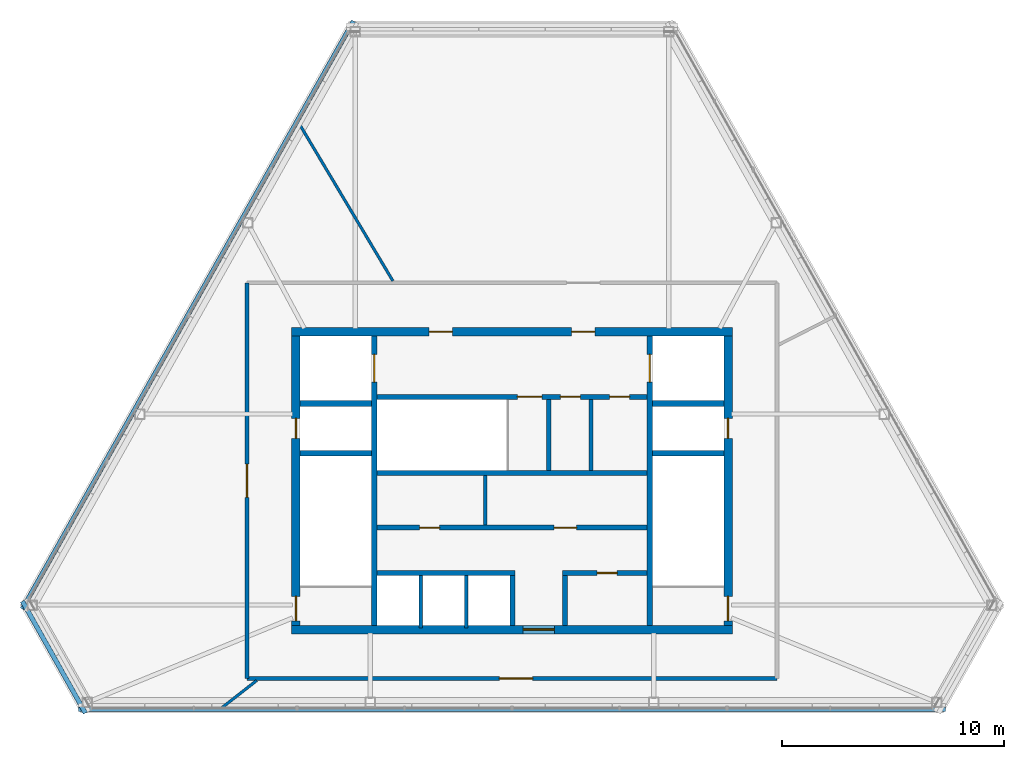
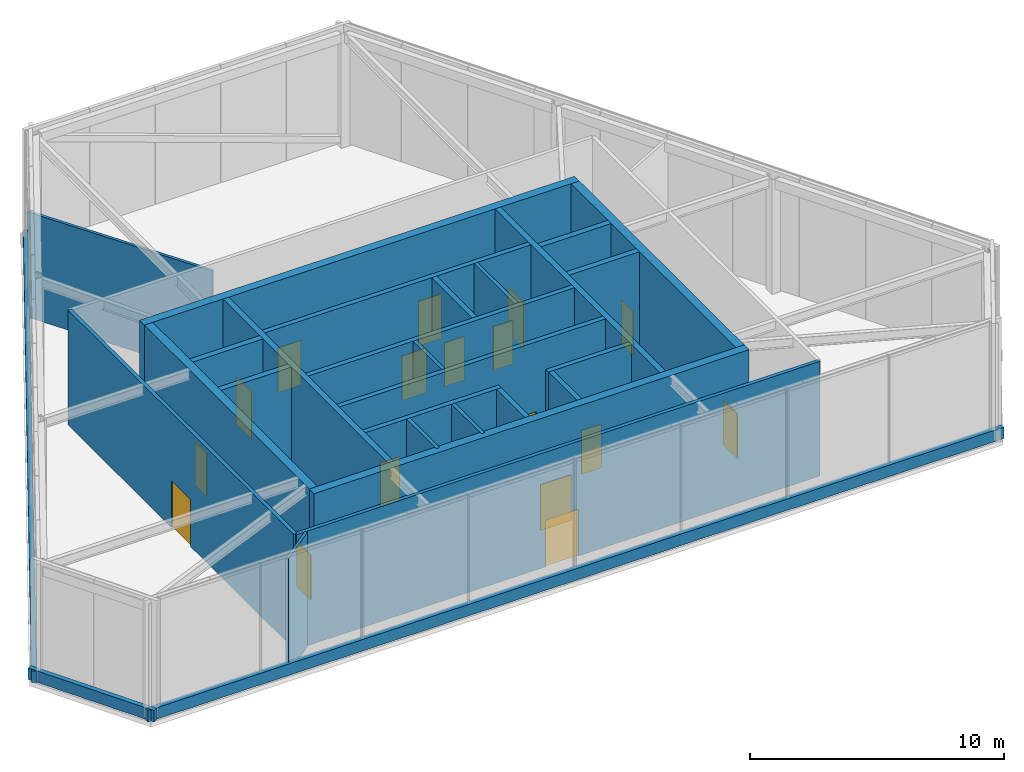
# One storey, part 9 of 11: 29 walls, 17 doors, 17 openings.
"""IFC4 building model written with IfcOpenShell, lengths in metres."""

from ifc_helpers import new_model, si_unit, direction, frame, frame_2d, origin, place, context, subcontext, project, spatial, rectangle, extrude, material, layer, layer_set, type_object, element, fill, save


model = new_model("IFC4")

# Units and contexts
model_context = context("Model", 3, precision=1e-05, world=origin(), true_north=direction((0.0, 1.0)))
body_context = subcontext(model_context, "Body", "Model", "MODEL_VIEW")
ifc_project = project(units=[si_unit("LENGTHUNIT", "METRE"), si_unit("AREAUNIT", "SQUARE_METRE"), si_unit("VOLUMEUNIT", "CUBIC_METRE"), si_unit("PLANEANGLEUNIT", "RADIAN"), si_unit("MASSUNIT", "GRAM", prefix="KILO")], contexts=[model_context])

# Site, building, storey
site_placement = place(None, origin())
site = spatial("IfcSite", under=ifc_project, at=site_placement, CompositionType="ELEMENT")
building_placement = place(site_placement, origin())
building = spatial("IfcBuilding", under=site, at=building_placement, Name="Kavelnor Concourse Tower", CompositionType="ELEMENT")
storey_placement = place(building_placement, frame((0.0, 0.0, 309.949951171875)))
storey = spatial("IfcBuildingStorey", under=building, at=storey_placement, Name="L78", CompositionType="ELEMENT", Elevation=309.949951171875)

# Wall, opening, door
ifc_material_1 = material(Name="Concrete C50/60", Category="concrete")
ifc_layer_1 = layer(ifc_material_1, 0.3798828125, Name="Concrete C50/60")
ifc_layer_set_1 = layer_set([ifc_layer_1], Name="Concrete C50/60")
wall_type_1 = type_object("IfcWallType", Name="WL-CORE-Z4-380", PredefinedType="SOLIDWALL", material=ifc_layer_set_1)
wall_1_placement = place(storey_placement, frame((28.10009765625, 9.409912109375, 0.0), z_axis=(0.0, 0.0, 1.0), x_axis=(1.0, 0.0, 0.0)))
wall_1 = element("IfcWall", 1, at=wall_1_placement, inside=storey, type_object=wall_type_1, Name="L78 Central Core South Shear Wall", PredefinedType="SOLIDWALL", context=body_context, shape_type="SweptSolid", body=[
    extrude(rectangle(XDim=19.7998046875, YDim=0.3798828125, at=frame_2d((9.89990234375, 0.0))), origin(), (0.0, 0.0, 1.0), 5.52001953125),
])
opening_1_placement = place(wall_1_placement, frame((10.39990234375, 0.0, 0.0)))
opening_1 = element("IfcOpeningElement", 2, at=opening_1_placement, cuts=wall_1, Name="Opening SD-140", PredefinedType="OPENING", context=body_context, shape_type="SweptSolid", body=[
    extrude(rectangle(XDim=1.39990234375, YDim=2.199951171875, at=frame_2d((0.699951171875, 1.10009765625))), frame((0.0, 0.199951171875, 0.0), z_axis=(0.0, -1.0, 0.0), x_axis=(1.0, 0.0, 0.0)), (0.0, 0.0, 1.0), 0.39990234375),
])
ifc_material_2 = material(Name="Solid-core hardwood timber", Category="wood")
door_type_1 = type_object("IfcDoorType", Name="DR-SUITE-ENTRY-1400", OperationType="NOTDEFINED", PredefinedType="DOOR", material=ifc_material_2)
door_1_placement = place(opening_1_placement, origin())
door_1 = element("IfcDoor", 3, at=door_1_placement, inside=storey, type_object=door_type_1, Name="L78 Passenger Lift Lobby Entry Door", OperationType="SINGLE_SWING_LEFT", OverallHeight=2.199951171875, OverallWidth=1.39990234375, PredefinedType="DOOR", context=body_context, shape_type="SweptSolid", body=[
    extrude(rectangle(XDim=1.39990234375, YDim=2.199951171875, at=frame_2d((0.699951171875, 1.10009765625))), frame((0.0, 0.02490234375, 0.0), z_axis=(0.0, -1.0, 0.0), x_axis=(1.0, 0.0, 0.0)), (0.0, 0.0, 1.0), 0.050048828125),
])
fill(opening_1, door_1)

# Wall, openings, doors
wall_2_placement = place(storey_placement, frame((28.10009765625, 22.7900390625, 0.0), z_axis=(0.0, 0.0, 1.0), x_axis=(1.0, 0.0, 0.0)))
wall_2 = element("IfcWall", 4, at=wall_2_placement, inside=storey, type_object=wall_type_1, Name="L78 Central Core North Shear Wall", PredefinedType="SOLIDWALL", context=body_context, shape_type="SweptSolid", body=[
    extrude(rectangle(XDim=19.7998046875, YDim=0.3798828125, at=frame_2d((9.89990234375, 0.0))), origin(), (0.0, 0.0, 1.0), 5.52001953125),
])
opening_2_placement = place(wall_2_placement, frame((6.175048828125, 0.0, 0.0)))
opening_2 = element("IfcOpeningElement", 5, at=opening_2_placement, cuts=wall_2, Name="Opening FD-105", PredefinedType="OPENING", context=body_context, shape_type="SweptSolid", body=[
    extrude(rectangle(XDim=1.050048828125, YDim=2.14990234375, at=frame_2d((0.52490234375, 1.074951171875))), frame((0.0, 0.199951171875, 0.0), z_axis=(0.0, -1.0, 0.0), x_axis=(1.0, 0.0, 0.0)), (0.0, 0.0, 1.0), 0.39990234375),
])
opening_3_placement = place(wall_2_placement, frame((12.574951171875, 0.0, 0.0)))
opening_3 = element("IfcOpeningElement", 6, at=opening_3_placement, cuts=wall_2, Name="Opening FD-105", PredefinedType="OPENING", context=body_context, shape_type="SweptSolid", body=[
    extrude(rectangle(XDim=1.050048828125, YDim=2.14990234375, at=frame_2d((0.52490234375, 1.074951171875))), frame((0.0, 0.199951171875, 0.0), z_axis=(0.0, -1.0, 0.0), x_axis=(1.0, 0.0, 0.0)), (0.0, 0.0, 1.0), 0.39990234375),
])
ifc_material_3 = material(Name="Steel Grade 350", Category="steel")
door_type_2 = type_object("IfcDoorType", Name="DR-LOBBY-FIRE-1050", OperationType="NOTDEFINED", PredefinedType="DOOR", material=ifc_material_3)
door_2_placement = place(opening_2_placement, origin())
door_2 = element("IfcDoor", 7, at=door_2_placement, inside=storey, type_object=door_type_2, Name="L78 Emergency Lift Lobby West Door", OperationType="SINGLE_SWING_LEFT", OverallHeight=2.14990234375, OverallWidth=1.050048828125, PredefinedType="DOOR", context=body_context, shape_type="SweptSolid", body=[
    extrude(rectangle(XDim=1.050048828125, YDim=2.14990234375, at=frame_2d((0.52490234375, 1.074951171875))), frame((0.0, 0.02490234375, 0.0), z_axis=(0.0, -1.0, 0.0), x_axis=(1.0, 0.0, 0.0)), (0.0, 0.0, 1.0), 0.050048828125),
])
fill(opening_2, door_2)
door_3_placement = place(opening_3_placement, origin())
door_3 = element("IfcDoor", 8, at=door_3_placement, inside=storey, type_object=door_type_2, Name="L78 Emergency Lift Lobby East Door", OperationType="SINGLE_SWING_RIGHT", OverallHeight=2.14990234375, OverallWidth=1.050048828125, PredefinedType="DOOR", context=body_context, shape_type="SweptSolid", body=[
    extrude(rectangle(XDim=1.050048828125, YDim=2.14990234375, at=frame_2d((0.52490234375, 1.074951171875))), frame((0.0, 0.02490234375, 0.0), z_axis=(0.0, -1.0, 0.0), x_axis=(1.0, 0.0, 0.0)), (0.0, 0.0, 1.0), 0.050048828125),
])
fill(opening_3, door_3)

wall_3_placement = place(storey_placement, frame((28.2900390625, 9.60009765625, 0.0), z_axis=(0.0, 0.0, 1.0), x_axis=(0.0, 1.0, 0.0)))
wall_3 = element("IfcWall", 9, at=wall_3_placement, inside=storey, type_object=wall_type_1, Name="L78 Central Core West Shear Wall", PredefinedType="SOLIDWALL", context=body_context, shape_type="SweptSolid", body=[
    extrude(rectangle(XDim=13.0, YDim=0.3798828125, at=frame_2d((6.5, 0.0))), origin(), (0.0, 0.0, 1.0), 5.52001953125),
])
opening_4_placement = place(wall_3_placement, frame((0.199951171875, 0.0, 0.0)))
opening_4 = element("IfcOpeningElement", 10, at=opening_4_placement, cuts=wall_3, Name="Opening FD-110", PredefinedType="OPENING", context=body_context, shape_type="SweptSolid", body=[
    extrude(rectangle(XDim=1.10009765625, YDim=2.14990234375, at=frame_2d((0.550048828125, 1.074951171875))), frame((0.0, 0.199951171875, 0.0), z_axis=(0.0, -1.0, 0.0), x_axis=(1.0, 0.0, 0.0)), (0.0, 0.0, 1.0), 0.39990234375),
])
opening_5_placement = place(wall_3_placement, frame((8.39990234375, 0.0, 0.0)))
opening_5 = element("IfcOpeningElement", 11, at=opening_5_placement, cuts=wall_3, Name="Opening FD-090", PredefinedType="OPENING", context=body_context, shape_type="SweptSolid", body=[
    extrude(rectangle(XDim=0.89990234375, YDim=2.10009765625, at=frame_2d((0.449951171875, 1.050048828125))), frame((0.0, 0.199951171875, 0.0), z_axis=(0.0, -1.0, 0.0), x_axis=(1.0, 0.0, 0.0)), (0.0, 0.0, 1.0), 0.39990234375),
])
door_type_3 = type_object("IfcDoorType", Name="DR-RISER-FIRE-900", OperationType="NOTDEFINED", PredefinedType="DOOR", material=ifc_material_3)
door_4_placement = place(opening_5_placement, origin())
door_4 = element("IfcDoor", 12, at=door_4_placement, inside=storey, type_object=door_type_3, Name="L78 West Riser Access Door", OperationType="SINGLE_SWING_RIGHT", OverallHeight=2.10009765625, OverallWidth=0.89990234375, PredefinedType="DOOR", context=body_context, shape_type="SweptSolid", body=[
    extrude(rectangle(XDim=0.89990234375, YDim=2.10009765625, at=frame_2d((0.449951171875, 1.050048828125))), frame((0.0, 0.02490234375, 0.0), z_axis=(0.0, -1.0, 0.0), x_axis=(1.0, 0.0, 0.0)), (0.0, 0.0, 1.0), 0.050048828125),
])
fill(opening_5, door_4)
door_type_4 = type_object("IfcDoorType", Name="DR-STAIR-FIRE-1100", OperationType="NOTDEFINED", PredefinedType="DOOR", material=ifc_material_3)
door_5_placement = place(opening_4_placement, origin())
door_5 = element("IfcDoor", 13, at=door_5_placement, inside=storey, type_object=door_type_4, Name="L78 Stair ST1 Fire Door", OperationType="SINGLE_SWING_LEFT", OverallHeight=2.14990234375, OverallWidth=1.10009765625, PredefinedType="DOOR", context=body_context, shape_type="SweptSolid", body=[
    extrude(rectangle(XDim=1.10009765625, YDim=2.14990234375, at=frame_2d((0.550048828125, 1.074951171875))), frame((0.0, 0.02490234375, 0.0), z_axis=(0.0, -1.0, 0.0), x_axis=(1.0, 0.0, 0.0)), (0.0, 0.0, 1.0), 0.050048828125),
])
fill(opening_4, door_5)

wall_4_placement = place(storey_placement, frame((47.7099609375, 9.60009765625, 0.0), z_axis=(0.0, 0.0, 1.0), x_axis=(0.0, 1.0, 0.0)))
wall_4 = element("IfcWall", 14, at=wall_4_placement, inside=storey, type_object=wall_type_1, Name="L78 Central Core East Shear Wall", PredefinedType="SOLIDWALL", context=body_context, shape_type="SweptSolid", body=[
    extrude(rectangle(XDim=13.0, YDim=0.3798828125, at=frame_2d((6.5, 0.0))), origin(), (0.0, 0.0, 1.0), 5.52001953125),
])
opening_6_placement = place(wall_4_placement, frame((0.199951171875, 0.0, 0.0)))
opening_6 = element("IfcOpeningElement", 15, at=opening_6_placement, cuts=wall_4, Name="Opening FD-110", PredefinedType="OPENING", context=body_context, shape_type="SweptSolid", body=[
    extrude(rectangle(XDim=1.10009765625, YDim=2.14990234375, at=frame_2d((0.550048828125, 1.074951171875))), frame((0.0, 0.199951171875, 0.0), z_axis=(0.0, -1.0, 0.0), x_axis=(1.0, 0.0, 0.0)), (0.0, 0.0, 1.0), 0.39990234375),
])
opening_7_placement = place(wall_4_placement, frame((8.39990234375, 0.0, 0.0)))
opening_7 = element("IfcOpeningElement", 16, at=opening_7_placement, cuts=wall_4, Name="Opening FD-090", PredefinedType="OPENING", context=body_context, shape_type="SweptSolid", body=[
    extrude(rectangle(XDim=0.89990234375, YDim=2.10009765625, at=frame_2d((0.449951171875, 1.050048828125))), frame((0.0, 0.199951171875, 0.0), z_axis=(0.0, -1.0, 0.0), x_axis=(1.0, 0.0, 0.0)), (0.0, 0.0, 1.0), 0.39990234375),
])
door_6_placement = place(opening_7_placement, origin())
door_6 = element("IfcDoor", 17, at=door_6_placement, inside=storey, type_object=door_type_3, Name="L78 East Riser Access Door", OperationType="SINGLE_SWING_LEFT", OverallHeight=2.10009765625, OverallWidth=0.89990234375, PredefinedType="DOOR", context=body_context, shape_type="SweptSolid", body=[
    extrude(rectangle(XDim=0.89990234375, YDim=2.10009765625, at=frame_2d((0.449951171875, 1.050048828125))), frame((0.0, 0.02490234375, 0.0), z_axis=(0.0, -1.0, 0.0), x_axis=(1.0, 0.0, 0.0)), (0.0, 0.0, 1.0), 0.050048828125),
])
fill(opening_7, door_6)
door_7_placement = place(opening_6_placement, origin())
door_7 = element("IfcDoor", 18, at=door_7_placement, inside=storey, type_object=door_type_4, Name="L78 Stair ST2 Fire Door", OperationType="SINGLE_SWING_RIGHT", OverallHeight=2.14990234375, OverallWidth=1.10009765625, PredefinedType="DOOR", context=body_context, shape_type="SweptSolid", body=[
    extrude(rectangle(XDim=1.10009765625, YDim=2.14990234375, at=frame_2d((0.550048828125, 1.074951171875))), frame((0.0, 0.02490234375, 0.0), z_axis=(0.0, -1.0, 0.0), x_axis=(1.0, 0.0, 0.0)), (0.0, 0.0, 1.0), 0.050048828125),
])
fill(opening_6, door_7)

# Walls
ifc_material_4 = material(Name="Gypsum plasterboard on light-gauge steel studs", Category="steel")
ifc_layer_2 = layer(ifc_material_4, 0.1650390625, Name="Gypsum plasterboard on light-gauge steel studs")
ifc_layer_set_2 = layer_set([ifc_layer_2], Name="Gypsum plasterboard on light-gauge steel studs")
wall_type_2 = type_object("IfcWallType", Name="WL-INT-FIRE-165", PredefinedType="PARTITIONING", material=ifc_layer_set_2)
for number, where, z_axis, x_axis, name in (
    (19, (33.89990234375, 9.489990234375, 0.0), (0.0, 0.0, 1.0), (0.0, 1.0, 0.0), "L78 Lift Shaft Divider LP7"),
    (20, (35.949951171875, 9.489990234375, 0.0), (0.0, 0.0, 1.0), (0.0, 1.0, 0.0), "L78 Lift Shaft Divider LP8"),
):
    element("IfcWall", number, at=place(storey_placement, frame(where, z_axis=z_axis, x_axis=x_axis)), inside=storey, type_object=wall_type_2, Name=name, PredefinedType="PARTITIONING", context=body_context, shape_type="SweptSolid", body=[
        extrude(rectangle(XDim=2.35009765625, YDim=0.1650390625, at=frame_2d((1.175048828125, 0.0))), origin(), (0.0, 0.0, 1.0), 5.52001953125),
    ])
wall_5_placement = place(storey_placement, frame((36.800048828125, 14.10009765625, 0.0), z_axis=(0.0, 0.0, 1.0), x_axis=(0.0, 1.0, 0.0)))
element("IfcWall", 21, at=wall_5_placement, inside=storey, type_object=wall_type_2, Name="L78 Reclaimed Core Partition A", PredefinedType="PARTITIONING", context=body_context, shape_type="SweptSolid", body=[
    extrude(rectangle(XDim=2.239990234375, YDim=0.1650390625, at=frame_2d((1.1201171875, 0.0))), origin(), (0.0, 0.0, 1.0), 5.52001953125),
])
wall_6_placement = place(storey_placement, frame((41.550048828125, 16.56005859375, 0.0), z_axis=(0.0, 0.0, 1.0), x_axis=(0.0, 1.0, 0.0)))
element("IfcWall", 22, at=wall_6_placement, inside=storey, type_object=wall_type_2, Name="L78 Core North Support Divider", PredefinedType="PARTITIONING", context=body_context, shape_type="SweptSolid", body=[
    extrude(rectangle(XDim=3.199951171875, YDim=0.1650390625, at=frame_2d((1.60009765625, 0.0))), origin(), (0.0, 0.0, 1.0), 5.52001953125),
])

# Wall, opening, door
wall_7_placement = place(storey_placement, frame((26.090087890625, 7.2099609375, 0.0), z_axis=(0.0, 0.0, 1.0), x_axis=(1.0, 0.0, 0.0)))
wall_7 = element("IfcWall", 23, at=wall_7_placement, inside=storey, type_object=wall_type_2, Name="L78 Corridor Wall WL-L78-CR-S", PredefinedType="PARTITIONING", context=body_context, shape_type="SweptSolid", body=[
    extrude(rectangle(XDim=23.81982421875, YDim=0.1650390625, at=frame_2d((11.909912109375, 0.0))), origin(), (0.0, 0.0, 1.0), 5.52001953125),
])
opening_8_placement = place(wall_7_placement, frame((11.342041015625, 0.0, 0.0)))
opening_8 = element("IfcOpeningElement", 24, at=opening_8_placement, cuts=wall_7, Name="Opening PD-150", PredefinedType="OPENING", context=body_context, shape_type="SweptSolid", body=[
    extrude(rectangle(XDim=1.5, YDim=2.25, at=frame_2d((0.75, 1.125))), frame((0.0, 0.092529296875, 0.0), z_axis=(0.0, -1.0, 0.0), x_axis=(1.0, 0.0, 0.0)), (0.0, 0.0, 1.0), 0.18505859375),
])
door_type_5 = type_object("IfcDoorType", Name="DR-PLANT-1500", OperationType="NOTDEFINED", PredefinedType="DOOR", material=ifc_material_3)
door_8_placement = place(opening_8_placement, origin())
door_8 = element("IfcDoor", 25, at=door_8_placement, inside=storey, type_object=door_type_5, Name="L78 BMU Hoist Mechanical Plant Room 03 Door", OperationType="DOUBLE_DOOR_SINGLE_SWING", OverallHeight=2.25, OverallWidth=1.5, PredefinedType="DOOR", context=body_context, shape_type="SweptSolid", body=[
    extrude(rectangle(XDim=1.5, YDim=2.25, at=frame_2d((0.75, 1.125))), frame((0.0, 0.02490234375, 0.0), z_axis=(0.0, -1.0, 0.0), x_axis=(1.0, 0.0, 0.0)), (0.0, 0.0, 1.0), 0.050048828125),
])
fill(opening_8, door_8)

wall_8_placement = place(storey_placement, frame((26.090087890625, 7.2099609375, 0.0), z_axis=(0.0, 0.0, 1.0), x_axis=(0.0, 1.0, 0.0)))
wall_8 = element("IfcWall", 26, at=wall_8_placement, inside=storey, type_object=wall_type_2, Name="L78 Corridor Wall WL-L78-CR-W", PredefinedType="PARTITIONING", context=body_context, shape_type="SweptSolid", body=[
    extrude(rectangle(XDim=17.780029296875, YDim=0.1650390625, at=frame_2d((8.89013671875, 0.0))), origin(), (0.0, 0.0, 1.0), 5.52001953125),
])
opening_9_placement = place(wall_8_placement, frame((8.139892578125, 0.0, 0.0)))
opening_9 = element("IfcOpeningElement", 27, at=opening_9_placement, cuts=wall_8, Name="Opening PD-150", PredefinedType="OPENING", context=body_context, shape_type="SweptSolid", body=[
    extrude(rectangle(XDim=1.5, YDim=2.25, at=frame_2d((0.75, 1.125))), frame((0.0, 0.092529296875, 0.0), z_axis=(0.0, -1.0, 0.0), x_axis=(1.0, 0.0, 0.0)), (0.0, 0.0, 1.0), 0.18505859375),
])
door_9_placement = place(opening_9_placement, origin())
door_9 = element("IfcDoor", 28, at=door_9_placement, inside=storey, type_object=door_type_5, Name="L78 Crown Central Heat-Pump Plant Room 02 Door", OperationType="DOUBLE_DOOR_SINGLE_SWING", OverallHeight=2.25, OverallWidth=1.5, PredefinedType="DOOR", context=body_context, shape_type="SweptSolid", body=[
    extrude(rectangle(XDim=1.5, YDim=2.25, at=frame_2d((0.75, 1.125))), frame((0.0, 0.02490234375, 0.0), z_axis=(0.0, -1.0, 0.0), x_axis=(1.0, 0.0, 0.0)), (0.0, 0.0, 1.0), 0.050048828125),
])
fill(opening_9, door_9)

# Walls
ifc_layer_3 = layer(ifc_material_4, 0.125, Name="Gypsum plasterboard on light-gauge steel studs")
ifc_layer_set_3 = layer_set([ifc_layer_3], Name="Gypsum plasterboard on light-gauge steel studs")
wall_type_3 = type_object("IfcWallType", Name="WL-INT-SUITE-125", PredefinedType="PARTITIONING", material=ifc_layer_set_3)
wall_9_placement = place(storey_placement, frame((32.64599609375, 25.08056640625, 0.0), z_axis=(0.0, 0.0, 1.0), x_axis=(-0.512069120889, 0.858944244658, 0.0)))
element("IfcWall", 29, at=wall_9_placement, inside=storey, type_object=wall_type_3, Name="L78 Radial Suite Partition 02", PredefinedType="PARTITIONING", context=body_context, shape_type="SweptSolid", body=[
    extrude(rectangle(XDim=8.322021484375, YDim=0.125, at=frame_2d((4.1611328125, 0.0))), origin(), (0.0, 0.0, 1.0), 5.06103515625),
])
wall_10_placement = place(storey_placement, frame((26.52490234375, 7.119384765625, 0.0), z_axis=(0.0, 0.0, 1.0), x_axis=(-0.787530721522, -0.616275395143, 0.0)))
element("IfcWall", 30, at=wall_10_placement, inside=storey, type_object=wall_type_3, Name="L78 Radial Suite Partition 03", PredefinedType="PARTITIONING", context=body_context, shape_type="SweptSolid", body=[
    extrude(rectangle(XDim=2.0029296875, YDim=0.125, at=frame_2d((1.00146484375, 0.0))), origin(), (0.0, 0.0, 1.0), 5.52001953125),
])
ifc_material_5 = material(Name="Buff ironspot clay face brick masonry", Category="masonry")
ifc_layer_4 = layer(ifc_material_5, 0.2099609375, Name="Buff ironspot clay face brick masonry")
ifc_layer_set_4 = layer_set([ifc_layer_4], Name="Buff ironspot clay face brick masonry")
wall_type_4 = type_object("IfcWallType", Name="WL-PARAPET-CROWN-210", PredefinedType="PARAPET", material=ifc_layer_set_4)
wall_11_placement = place(storey_placement, frame((30.876220703125, 36.7548828125, 0.0), z_axis=(0.0, 0.0, 1.0), x_axis=(-0.490730545971, -0.87131138593, 0.0)))
element("IfcWall", 31, at=wall_11_placement, inside=storey, type_object=wall_type_4, Name="L78 Crown Perimeter Sill Upstand E1", PredefinedType="PARAPET", context=body_context, shape_type="SweptSolid", body=[
    extrude(rectangle(XDim=30.325439453125, YDim=0.2099609375, at=frame_2d((15.16259765625, 0.0))), origin(), (0.0, 0.0, 1.0), 0.550048828125),
])
wall_12_placement = place(storey_placement, frame((15.99462890625, 10.68310546875, 0.0), z_axis=(0.0, 0.0, 1.0), x_axis=(0.490715240018, -0.871320006206, 0.0)))
element("IfcWall", 32, at=wall_12_placement, inside=storey, type_object=wall_type_4, Name="L78 Crown Perimeter Sill Upstand E2", PredefinedType="PARAPET", context=body_context, shape_type="SweptSolid", body=[
    extrude(rectangle(XDim=5.769287109375, YDim=0.2099609375, at=frame_2d((2.884765625, 0.0))), origin(), (0.0, 0.0, 1.0), 0.550048828125),
])
wall_13_placement = place(storey_placement, frame((18.52001953125, 5.8349609375, 0.0), z_axis=(0.0, 0.0, 1.0), x_axis=(1.0, 0.0, 0.0)))
element("IfcWall", 33, at=wall_13_placement, inside=storey, type_object=wall_type_4, Name="L78 Crown Perimeter Sill Upstand E3", PredefinedType="PARAPET", context=body_context, shape_type="SweptSolid", body=[
    extrude(rectangle(XDim=38.9599609375, YDim=0.2099609375, at=frame_2d((19.47998046875, 0.0))), origin(), (0.0, 0.0, 1.0), 0.550048828125),
])

# Wall, openings, doors
ifc_layer_5 = layer(ifc_material_1, 0.219970703125, Name="Concrete C50/60")
ifc_layer_set_5 = layer_set([ifc_layer_5], Name="Concrete C50/60")
wall_type_5 = type_object("IfcWallType", Name="WL-SHAFT-220", PredefinedType="SOLIDWALL", material=ifc_layer_set_5)
wall_14_placement = place(storey_placement, frame((31.93994140625, 19.8701171875, 0.0), z_axis=(0.0, 0.0, 1.0), x_axis=(1.0, 0.0, 0.0)))
wall_14 = element("IfcWall", 34, at=wall_14_placement, inside=storey, type_object=wall_type_5, Name="L78 Emergency Lift Lobby South Wall", PredefinedType="SOLIDWALL", context=body_context, shape_type="SweptSolid", body=[
    extrude(rectangle(XDim=12.1201171875, YDim=0.219970703125, at=frame_2d((6.06005859375, 0.0))), origin(), (0.0, 0.0, 1.0), 5.52001953125),
])
opening_10_placement = place(wall_14_placement, frame((6.300048828125, 0.0, 0.0)))
opening_10 = element("IfcOpeningElement", 35, at=opening_10_placement, cuts=wall_14, Name="Opening FD-110", PredefinedType="OPENING", context=body_context, shape_type="SweptSolid", body=[
    extrude(rectangle(XDim=1.10009765625, YDim=2.14990234375, at=frame_2d((0.550048828125, 1.074951171875))), frame((0.0, 0.1201171875, 0.0), z_axis=(0.0, -1.0, 0.0), x_axis=(1.0, 0.0, 0.0)), (0.0, 0.0, 1.0), 0.239990234375),
])
opening_11_placement = place(wall_14_placement, frame((8.22998046875, 0.0, 0.0)))
opening_11 = element("IfcOpeningElement", 36, at=opening_11_placement, cuts=wall_14, Name="Opening FD-090", PredefinedType="OPENING", context=body_context, shape_type="SweptSolid", body=[
    extrude(rectangle(XDim=0.89990234375, YDim=2.10009765625, at=frame_2d((0.449951171875, 1.050048828125))), frame((0.0, 0.1201171875, 0.0), z_axis=(0.0, -1.0, 0.0), x_axis=(1.0, 0.0, 0.0)), (0.0, 0.0, 1.0), 0.239990234375),
])
opening_12_placement = place(wall_14_placement, frame((10.449951171875, 0.0, 0.0)))
opening_12 = element("IfcOpeningElement", 37, at=opening_12_placement, cuts=wall_14, Name="Opening FD-090", PredefinedType="OPENING", context=body_context, shape_type="SweptSolid", body=[
    extrude(rectangle(XDim=0.89990234375, YDim=2.10009765625, at=frame_2d((0.449951171875, 1.050048828125))), frame((0.0, 0.1201171875, 0.0), z_axis=(0.0, -1.0, 0.0), x_axis=(1.0, 0.0, 0.0)), (0.0, 0.0, 1.0), 0.239990234375),
])
door_10_placement = place(opening_11_placement, origin())
door_10 = element("IfcDoor", 38, at=door_10_placement, inside=storey, type_object=door_type_3, Name="L78 Telecom Room Door", OperationType="SINGLE_SWING_LEFT", OverallHeight=2.10009765625, OverallWidth=0.89990234375, PredefinedType="DOOR", context=body_context, shape_type="SweptSolid", body=[
    extrude(rectangle(XDim=0.89990234375, YDim=2.10009765625, at=frame_2d((0.449951171875, 1.050048828125))), frame((0.0, 0.02490234375, 0.0), z_axis=(0.0, -1.0, 0.0), x_axis=(1.0, 0.0, 0.0)), (0.0, 0.0, 1.0), 0.050048828125),
])
fill(opening_11, door_10)
door_11_placement = place(opening_12_placement, origin())
door_11 = element("IfcDoor", 39, at=door_11_placement, inside=storey, type_object=door_type_3, Name="L78 Janitor Store Door", OperationType="SINGLE_SWING_RIGHT", OverallHeight=2.10009765625, OverallWidth=0.89990234375, PredefinedType="DOOR", context=body_context, shape_type="SweptSolid", body=[
    extrude(rectangle(XDim=0.89990234375, YDim=2.10009765625, at=frame_2d((0.449951171875, 1.050048828125))), frame((0.0, 0.02490234375, 0.0), z_axis=(0.0, -1.0, 0.0), x_axis=(1.0, 0.0, 0.0)), (0.0, 0.0, 1.0), 0.050048828125),
])
fill(opening_12, door_11)
door_12_placement = place(opening_10_placement, origin())
door_12 = element("IfcDoor", 40, at=door_12_placement, inside=storey, type_object=door_type_4, Name="L78 Stair ST3 Fire Door", OperationType="SINGLE_SWING_LEFT", OverallHeight=2.14990234375, OverallWidth=1.10009765625, PredefinedType="DOOR", context=body_context, shape_type="SweptSolid", body=[
    extrude(rectangle(XDim=1.10009765625, YDim=2.14990234375, at=frame_2d((0.550048828125, 1.074951171875))), frame((0.0, 0.02490234375, 0.0), z_axis=(0.0, -1.0, 0.0), x_axis=(1.0, 0.0, 0.0)), (0.0, 0.0, 1.0), 0.050048828125),
])
fill(opening_10, door_12)

# Walls
wall_15_placement = place(storey_placement, frame((31.93994140625, 16.449951171875, 0.0), z_axis=(0.0, 0.0, 1.0), x_axis=(1.0, 0.0, 0.0)))
element("IfcWall", 41, at=wall_15_placement, inside=storey, type_object=wall_type_5, Name="L78 Stair ST3 South Core Wall", PredefinedType="SOLIDWALL", context=body_context, shape_type="SweptSolid", body=[
    extrude(rectangle(XDim=12.1201171875, YDim=0.219970703125, at=frame_2d((6.06005859375, 0.0))), origin(), (0.0, 0.0, 1.0), 5.52001953125),
])
wall_16_placement = place(storey_placement, frame((39.64990234375, 16.56005859375, 0.0), z_axis=(0.0, 0.0, 1.0), x_axis=(0.0, 1.0, 0.0)))
element("IfcWall", 42, at=wall_16_placement, inside=storey, type_object=wall_type_5, Name="L78 Stair ST3 East Core Wall", PredefinedType="SOLIDWALL", context=body_context, shape_type="SweptSolid", body=[
    extrude(rectangle(XDim=3.199951171875, YDim=0.219970703125, at=frame_2d((1.60009765625, 0.0))), origin(), (0.0, 0.0, 1.0), 5.52001953125),
])

# Wall, openings, doors
wall_17_placement = place(storey_placement, frame((31.93994140625, 13.989990234375, 0.0), z_axis=(0.0, 0.0, 1.0), x_axis=(1.0, 0.0, 0.0)))
wall_17 = element("IfcWall", 43, at=wall_17_placement, inside=storey, type_object=wall_type_5, Name="L78 North Lift Row Shaft Wall", PredefinedType="SOLIDWALL", context=body_context, shape_type="SweptSolid", body=[
    extrude(rectangle(XDim=12.1201171875, YDim=0.219970703125, at=frame_2d((6.06005859375, 0.0))), origin(), (0.0, 0.0, 1.0), 5.52001953125),
])
opening_13_placement = place(wall_17_placement, frame((1.909912109375, 0.0, 0.0)))
opening_13 = element("IfcOpeningElement", 44, at=opening_13_placement, cuts=wall_17, Name="Opening FD-090", PredefinedType="OPENING", context=body_context, shape_type="SweptSolid", body=[
    extrude(rectangle(XDim=0.89990234375, YDim=2.10009765625, at=frame_2d((0.449951171875, 1.050048828125))), frame((0.0, 0.1201171875, 0.0), z_axis=(0.0, -1.0, 0.0), x_axis=(1.0, 0.0, 0.0)), (0.0, 0.0, 1.0), 0.239990234375),
])
opening_14_placement = place(wall_17_placement, frame((7.949951171875, 0.0, 0.0)))
opening_14 = element("IfcOpeningElement", 45, at=opening_14_placement, cuts=wall_17, Name="Opening MD-102", PredefinedType="OPENING", context=body_context, shape_type="SweptSolid", body=[
    extrude(rectangle(XDim=1.02001953125, YDim=2.14990234375, at=frame_2d((0.510009765625, 1.074951171875))), frame((0.0, 0.1201171875, 0.0), z_axis=(0.0, -1.0, 0.0), x_axis=(1.0, 0.0, 0.0)), (0.0, 0.0, 1.0), 0.239990234375),
])
ifc_material_6 = material(Name="Acoustic glazed timber frame", Category="wood")
door_type_6 = type_object("IfcDoorType", Name="DR-MEETING-1020", OperationType="NOTDEFINED", PredefinedType="DOOR", material=ifc_material_6)
door_13_placement = place(opening_14_placement, origin())
door_13 = element("IfcDoor", 46, at=door_13_placement, inside=storey, type_object=door_type_6, Name="L78 Briefing Room Door", OperationType="SINGLE_SWING_RIGHT", OverallHeight=2.14990234375, OverallWidth=1.02001953125, PredefinedType="DOOR", context=body_context, shape_type="SweptSolid", body=[
    extrude(rectangle(XDim=1.02001953125, YDim=2.14990234375, at=frame_2d((0.510009765625, 1.074951171875))), frame((0.0, 0.02490234375, 0.0), z_axis=(0.0, -1.0, 0.0), x_axis=(1.0, 0.0, 0.0)), (0.0, 0.0, 1.0), 0.050048828125),
])
fill(opening_14, door_13)
door_14_placement = place(opening_13_placement, origin())
door_14 = element("IfcDoor", 47, at=door_14_placement, inside=storey, type_object=door_type_3, Name="L78 IT Room Door", OperationType="SINGLE_SWING_LEFT", OverallHeight=2.10009765625, OverallWidth=0.89990234375, PredefinedType="DOOR", context=body_context, shape_type="SweptSolid", body=[
    extrude(rectangle(XDim=0.89990234375, YDim=2.10009765625, at=frame_2d((0.449951171875, 1.050048828125))), frame((0.0, 0.02490234375, 0.0), z_axis=(0.0, -1.0, 0.0), x_axis=(1.0, 0.0, 0.0)), (0.0, 0.0, 1.0), 0.050048828125),
])
fill(opening_13, door_14)

# Wall
wall_18_placement = place(storey_placement, frame((31.93994140625, 11.949951171875, 0.0), z_axis=(0.0, 0.0, 1.0), x_axis=(1.0, 0.0, 0.0)))
element("IfcWall", 48, at=wall_18_placement, inside=storey, type_object=wall_type_5, Name="L78 High-Rise Lift Bank North Wall", PredefinedType="SOLIDWALL", context=body_context, shape_type="SweptSolid", body=[
    extrude(rectangle(XDim=6.18994140625, YDim=0.219970703125, at=frame_2d((3.094970703125, 0.0))), origin(), (0.0, 0.0, 1.0), 5.52001953125),
])

# Wall, opening, door
wall_19_placement = place(storey_placement, frame((40.280029296875, 11.949951171875, 0.0), z_axis=(0.0, 0.0, 1.0), x_axis=(1.0, 0.0, 0.0)))
wall_19 = element("IfcWall", 49, at=wall_19_placement, inside=storey, type_object=wall_type_5, Name="L78 Core South Support North Wall", PredefinedType="SOLIDWALL", context=body_context, shape_type="SweptSolid", body=[
    extrude(rectangle(XDim=3.780029296875, YDim=0.219970703125, at=frame_2d((1.89013671875, 0.0))), origin(), (0.0, 0.0, 1.0), 5.52001953125),
])
opening_15_placement = place(wall_19_placement, frame((1.550048828125, 0.0, 0.0)))
opening_15 = element("IfcOpeningElement", 50, at=opening_15_placement, cuts=wall_19, Name="Opening FD-090", PredefinedType="OPENING", context=body_context, shape_type="SweptSolid", body=[
    extrude(rectangle(XDim=0.89990234375, YDim=2.10009765625, at=frame_2d((0.449951171875, 1.050048828125))), frame((0.0, 0.1201171875, 0.0), z_axis=(0.0, -1.0, 0.0), x_axis=(1.0, 0.0, 0.0)), (0.0, 0.0, 1.0), 0.239990234375),
])
door_15_placement = place(opening_15_placement, origin())
door_15 = element("IfcDoor", 51, at=door_15_placement, inside=storey, type_object=door_type_3, Name="L78 BMS Metering Door", OperationType="SINGLE_SWING_RIGHT", OverallHeight=2.10009765625, OverallWidth=0.89990234375, PredefinedType="DOOR", context=body_context, shape_type="SweptSolid", body=[
    extrude(rectangle(XDim=0.89990234375, YDim=2.10009765625, at=frame_2d((0.449951171875, 1.050048828125))), frame((0.0, 0.02490234375, 0.0), z_axis=(0.0, -1.0, 0.0), x_axis=(1.0, 0.0, 0.0)), (0.0, 0.0, 1.0), 0.050048828125),
])
fill(opening_15, door_15)

# Walls
for number, where, z_axis, x_axis, name in (
    (52, (38.02001953125, 9.60009765625, 0.0), (0.0, 0.0, 1.0), (0.0, 1.0, 0.0), "L78 Lift Lobby Throat West Wall"),
    (53, (40.389892578125, 9.60009765625, 0.0), (0.0, 0.0, 1.0), (0.0, 1.0, 0.0), "L78 Lift Lobby Throat East Wall"),
):
    element("IfcWall", number, at=place(storey_placement, frame(where, z_axis=z_axis, x_axis=x_axis)), inside=storey, type_object=wall_type_5, Name=name, PredefinedType="SOLIDWALL", context=body_context, shape_type="SweptSolid", body=[
        extrude(rectangle(XDim=2.239990234375, YDim=0.219970703125, at=frame_2d((1.1201171875, 0.0))), origin(), (0.0, 0.0, 1.0), 5.52001953125),
    ])

# Wall, opening, door
ifc_layer_6 = layer(ifc_material_1, 0.260009765625, Name="Concrete C50/60")
ifc_layer_set_6 = layer_set([ifc_layer_6], Name="Concrete C50/60")
wall_type_6 = type_object("IfcWallType", Name="WL-SHAFT-260", PredefinedType="SHEAR", material=ifc_layer_set_6)
wall_20_placement = place(storey_placement, frame((31.81005859375, 9.60009765625, 0.0), z_axis=(0.0, 0.0, 1.0), x_axis=(0.0, 1.0, 0.0)))
wall_20 = element("IfcWall", 54, at=wall_20_placement, inside=storey, type_object=wall_type_6, Name="L78 Core West Wing Shear Wall", PredefinedType="SHEAR", context=body_context, shape_type="SweptSolid", body=[
    extrude(rectangle(XDim=13.0, YDim=0.260009765625, at=frame_2d((6.5, 0.0))), origin(), (0.0, 0.0, 1.0), 5.52001953125),
])
opening_16_placement = place(wall_20_placement, frame((10.925048828125, 0.0, 0.0)))
opening_16 = element("IfcOpeningElement", 55, at=opening_16_placement, cuts=wall_20, Name="Opening LD-125", PredefinedType="OPENING", context=body_context, shape_type="SweptSolid", body=[
    extrude(rectangle(XDim=1.25, YDim=2.25, at=frame_2d((0.625, 1.125))), frame((0.0, 0.14013671875, 0.0), z_axis=(0.0, -1.0, 0.0), x_axis=(1.0, 0.0, 0.0)), (0.0, 0.0, 1.0), 0.280029296875),
])
door_type_7 = type_object("IfcDoorType", Name="DR-LIFT-SLIDING-1250", OperationType="NOTDEFINED", PredefinedType="DOOR", material=ifc_material_3)
door_16_placement = place(opening_16_placement, origin())
door_16 = element("IfcDoor", 56, at=door_16_placement, inside=storey, type_object=door_type_7, Name="L78 Emergency Lift FL1 Landing Door", OperationType="DOUBLE_DOOR_SLIDING", OverallHeight=2.25, OverallWidth=1.25, PredefinedType="DOOR", context=body_context, shape_type="SweptSolid", body=[
    extrude(rectangle(XDim=1.25, YDim=2.25, at=frame_2d((0.625, 1.125))), frame((0.0, 0.02490234375, 0.0), z_axis=(0.0, -1.0, 0.0), x_axis=(1.0, 0.0, 0.0)), (0.0, 0.0, 1.0), 0.050048828125),
])
fill(opening_16, door_16)

wall_21_placement = place(storey_placement, frame((44.18994140625, 9.60009765625, 0.0), z_axis=(0.0, 0.0, 1.0), x_axis=(0.0, 1.0, 0.0)))
wall_21 = element("IfcWall", 57, at=wall_21_placement, inside=storey, type_object=wall_type_6, Name="L78 Core East Wing Shear Wall", PredefinedType="SHEAR", context=body_context, shape_type="SweptSolid", body=[
    extrude(rectangle(XDim=13.0, YDim=0.260009765625, at=frame_2d((6.5, 0.0))), origin(), (0.0, 0.0, 1.0), 5.52001953125),
])
opening_17_placement = place(wall_21_placement, frame((10.925048828125, 0.0, 0.0)))
opening_17 = element("IfcOpeningElement", 58, at=opening_17_placement, cuts=wall_21, Name="Opening LD-125", PredefinedType="OPENING", context=body_context, shape_type="SweptSolid", body=[
    extrude(rectangle(XDim=1.25, YDim=2.25, at=frame_2d((0.625, 1.125))), frame((0.0, 0.14013671875, 0.0), z_axis=(0.0, -1.0, 0.0), x_axis=(1.0, 0.0, 0.0)), (0.0, 0.0, 1.0), 0.280029296875),
])
door_17_placement = place(opening_17_placement, origin())
door_17 = element("IfcDoor", 59, at=door_17_placement, inside=storey, type_object=door_type_7, Name="L78 Emergency Lift FL2 Landing Door", OperationType="DOUBLE_DOOR_SLIDING", OverallHeight=2.25, OverallWidth=1.25, PredefinedType="DOOR", context=body_context, shape_type="SweptSolid", body=[
    extrude(rectangle(XDim=1.25, YDim=2.25, at=frame_2d((0.625, 1.125))), frame((0.0, 0.02490234375, 0.0), z_axis=(0.0, -1.0, 0.0), x_axis=(1.0, 0.0, 0.0)), (0.0, 0.0, 1.0), 0.050048828125),
])
fill(opening_17, door_17)

# Walls
for number, where, z_axis, x_axis, name in (
    (60, (28.47998046875, 17.330078125, 0.0), (0.0, 0.0, 1.0), (1.0, 0.0, 0.0), "L78 Stair ST1 North Shaft Wall"),
    (61, (28.47998046875, 19.570068359375, 0.0), (0.0, 0.0, 1.0), (1.0, 0.0, 0.0), "L78 Emergency Lift FL1 South Shaft Wall"),
    (62, (44.320068359375, 17.330078125, 0.0), (0.0, 0.0, 1.0), (1.0, 0.0, 0.0), "L78 Stair ST2 North Shaft Wall"),
    (63, (44.320068359375, 19.570068359375, 0.0), (0.0, 0.0, 1.0), (1.0, 0.0, 0.0), "L78 Emergency Lift FL2 South Shaft Wall"),
):
    element("IfcWall", number, at=place(storey_placement, frame(where, z_axis=z_axis, x_axis=x_axis)), inside=storey, type_object=wall_type_6, Name=name, PredefinedType="SHEAR", context=body_context, shape_type="SweptSolid", body=[
        extrude(rectangle(XDim=3.199951171875, YDim=0.260009765625, at=frame_2d((1.60009765625, 0.0))), origin(), (0.0, 0.0, 1.0), 5.52001953125),
    ])

save(model, "model.ifc")
